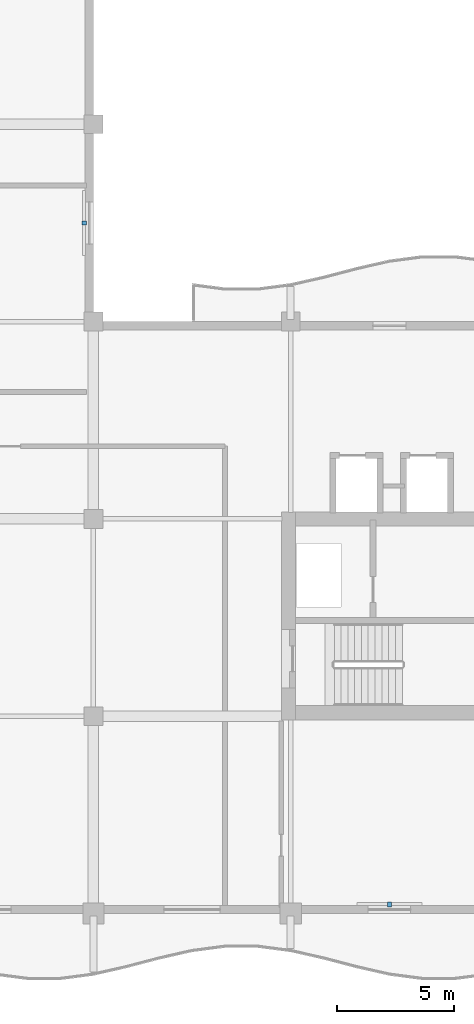
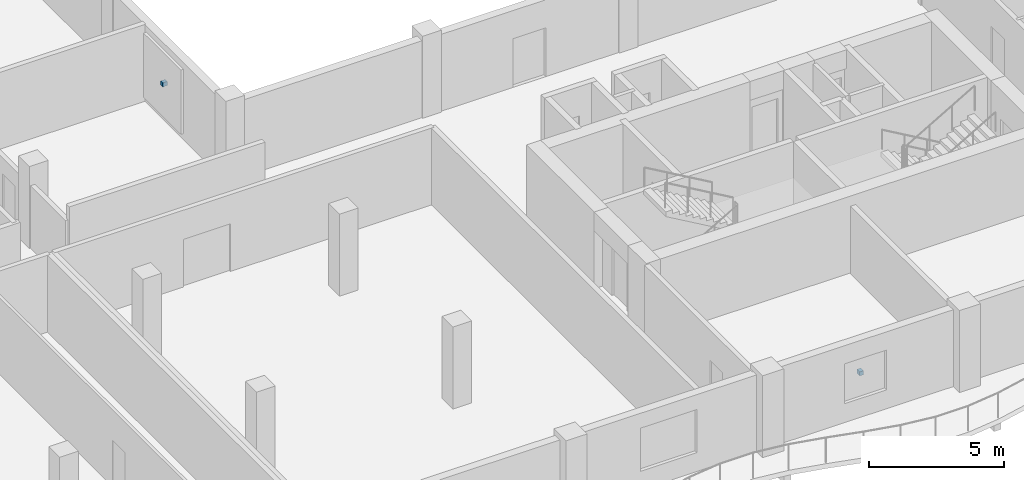
# One storey, part 9 of 12: 2 discrete accessories.
"""IFC4 building model written with IfcOpenShell, lengths in metres."""

import ifcopenshell
import ifcopenshell.guid

model = None  # the IFC model being written
_history = None  # IfcOwnerHistory: only IFC2X3 demands one
_inside = {}  # id of a spatial element -> (the spatial element, [elements in it])
_under = {}  # id of a project, library or spatial element -> (it, [spatial elements below it])
_declared = {}  # id of a project -> (the project, [libraries it declares])
_typed = {}  # id of a type object -> (the type object, [elements of that type])
_made_of = {}  # id of a material, layer set ... -> (it, [elements and type objects made of it])


def new_model(schema):
    """Start an empty IFC model of exactly this schema.

    Asked for "IFC4X3", IfcOpenShell would pick the latest addendum, in which some entities
    have other attributes; the version numbers below select the first issue.
    IFC2X3 requires an IfcOwnerHistory on every rooted entity: one is made here for all.
    """
    global model, _history
    if schema == "IFC4X3":
        model = ifcopenshell.file(schema_version=(4, 3, 0, 0))
    else:
        model = ifcopenshell.file(schema=schema)
    _inside.clear()
    _under.clear()
    _declared.clear()
    _typed.clear()
    _made_of.clear()
    _history = None
    if model.schema == "IFC2X3":
        org = make("IfcOrganization", Name="unknown")
        user = make(
            "IfcPersonAndOrganization",
            ThePerson=make("IfcPerson", FamilyName="unknown"),
            TheOrganization=org,
        )
        app = make(
            "IfcApplication",
            ApplicationDeveloper=org,
            Version="unknown",
            ApplicationFullName="unknown",
            ApplicationIdentifier="unknown",
        )
        _history = make(
            "IfcOwnerHistory",
            OwningUser=user,
            OwningApplication=app,
            ChangeAction="ADDED",
            CreationDate=0,
        )
    return model


def make(cls, **values):
    """One entity of the class cls with the attributes given. An attribute that is None is left unset."""
    return model.create_entity(
        cls, **{name: value for name, value in values.items() if value is not None}
    )


def rooted(cls, **values):
    """An entity with a GlobalId (a new one), such as an element, a storey or a relation."""
    return make(cls, GlobalId=ifcopenshell.guid.new(), OwnerHistory=_history, **values)


def si_unit(unit_type, name, prefix=None):
    """IfcSIUnit, for example si_unit("LENGTHUNIT", "METRE", prefix="MILLI")."""
    return make("IfcSIUnit", UnitType=unit_type, Prefix=prefix, Name=name)


def assignment(units):
    """IfcUnitAssignment: the units of a project."""
    return None if units is None else make("IfcUnitAssignment", Units=units)


def point(xyz):
    """IfcCartesianPoint."""
    return None if xyz is None else make("IfcCartesianPoint", Coordinates=xyz)


def direction(xyz):
    """IfcDirection."""
    return None if xyz is None else make("IfcDirection", DirectionRatios=xyz)


def frame(location, z_axis=None, x_axis=None):
    """IfcAxis2Placement3D, a coordinate frame: its origin and axes. An axis left out is left unset."""
    return make(
        "IfcAxis2Placement3D",
        Location=point(location),
        Axis=direction(z_axis),
        RefDirection=direction(x_axis),
    )


def frame_2d(location, x_axis=None):
    """IfcAxis2Placement2D, a coordinate frame in the plane: its origin and x axis."""
    return make(
        "IfcAxis2Placement2D", Location=point(location), RefDirection=direction(x_axis)
    )


def origin():
    """The frame at (0, 0, 0) with its axes left unset."""
    return frame((0.0, 0.0, 0.0))


def origin_2d():
    """The frame at (0, 0) in the plane with its x axis left unset."""
    return frame_2d((0.0, 0.0))


def place(relative_to, where):
    """IfcLocalPlacement: puts the frame where relative to a parent placement (None: the world)."""
    return make(
        "IfcLocalPlacement", PlacementRelTo=relative_to, RelativePlacement=where
    )


def context(
    kind, dimensions, precision=None, world=None, true_north=None, identifier=None
):
    """IfcGeometricRepresentationContext, for example the 3D "Model" context."""
    return make(
        "IfcGeometricRepresentationContext",
        ContextIdentifier=identifier,
        ContextType=kind,
        CoordinateSpaceDimension=dimensions,
        Precision=precision,
        WorldCoordinateSystem=world,
        TrueNorth=true_north,
    )


def subcontext(parent, identifier, kind, view, scale=None):
    """IfcGeometricRepresentationSubContext, for example "Body" below "Model"."""
    return make(
        "IfcGeometricRepresentationSubContext",
        ContextIdentifier=identifier,
        ContextType=kind,
        ParentContext=parent,
        TargetScale=scale,
        TargetView=view,
    )


def project(units=None, contexts=None):
    """IfcProject with its units and contexts."""
    return rooted(
        "IfcProject",
        Name="project",
        RepresentationContexts=contexts,
        UnitsInContext=assignment(units),
    )


def spatial(cls, under=None, at=None, **own):
    """A site, building, storey or space (cls), placed at a placement, below another one or the project."""
    s = rooted(cls, ObjectPlacement=at, **own)
    if under is not None:
        _under.setdefault(under.id(), (under, []))[1].append(s)
    return s


def profile(cls, at=None, kind="AREA", **sizes):
    """A parametric profile (cls). Its sizes go by their IFC names, for example OverallWidth=200.0."""
    return make(cls, ProfileType=kind, Position=at, **sizes)


def rectangle(**sizes):
    """IfcRectangleProfileDef."""
    return profile("IfcRectangleProfileDef", **sizes)


def extrude(swept, where, along, depth):
    """IfcExtrudedAreaSolid: the profile swept, set in the frame where, extruded along a direction by depth."""
    return make(
        "IfcExtrudedAreaSolid",
        SweptArea=swept,
        Position=where,
        ExtrudedDirection=direction(along),
        Depth=depth,
    )


def shape(context_of_items, identifier, shape_type, items):
    """IfcShapeRepresentation: the items that make up one representation, for example the "Body"."""
    return make(
        "IfcShapeRepresentation",
        ContextOfItems=context_of_items,
        RepresentationIdentifier=identifier,
        RepresentationType=shape_type,
        Items=items,
    )


def material(Name=None, Category=None):
    """IfcMaterial."""
    return make("IfcMaterial", Name=Name, Category=Category)


def made_of(thing, what):
    """Note that an element or type object is made of a material, layer set ...; save() writes the relation."""
    if what is not None:
        _made_of.setdefault(what.id(), (what, []))[1].append(thing)
    return thing


def type_object(cls, material=None, **own):
    """A type object (cls), such as IfcWallType, which elements share."""
    return made_of(rooted(cls, **own), material)


def element(
    cls,
    number,
    at=None,
    inside=None,
    cuts=None,
    type_object=None,
    material=None,
    context=None,
    identifier="Body",
    shape_type=None,
    held_by="IfcProductDefinitionShape",
    body=None,
    shapes=None,
    **own,
):
    """One element of the class cls, such as IfcWall. Its Tag is "e" and its number.

    at: its placement. inside: the storey or other place that contains it. cuts: it is an
    opening in that element (IfcRelVoidsElement). A single representation is given by context,
    identifier, shape_type and body (its items); several are given by shapes. held_by: the class
    of the entity that holds the representations. save() writes the other relations.
    """
    e = rooted(cls, Tag="e%d" % number, ObjectPlacement=at, **own)
    if body is not None:
        shapes = [shape(context, identifier, shape_type, body)]
    if shapes is not None:
        e.Representation = make(held_by, Representations=shapes)
    if inside is not None:
        _inside.setdefault(inside.id(), (inside, []))[1].append(e)
    if cuts is not None:
        rooted(
            "IfcRelVoidsElement", RelatingBuildingElement=cuts, RelatedOpeningElement=e
        )
    if type_object is not None:
        _typed.setdefault(type_object.id(), (type_object, []))[1].append(e)
    return made_of(e, material)


def aggregate(whole, parts):
    """IfcRelAggregates: a whole, such as a stair, and the parts it consists of."""
    return rooted("IfcRelAggregates", RelatingObject=whole, RelatedObjects=parts)


def save(model, path):
    """Write the relations noted so far, then the file.

    IfcRelAggregates (storeys below a building ...), IfcRelContainedInSpatialStructure (elements
    in a storey), IfcRelDefinesByType, IfcRelAssociatesMaterial and IfcRelDeclares: one each for
    every whole, place, type object, material and project.
    """
    for whole, parts in _under.values():
        aggregate(whole, parts)
    for where, things in _inside.values():
        rooted(
            "IfcRelContainedInSpatialStructure",
            RelatedElements=things,
            RelatingStructure=where,
        )
    for kind, things in _typed.values():
        rooted("IfcRelDefinesByType", RelatedObjects=things, RelatingType=kind)
    for what, things in _made_of.values():
        rooted("IfcRelAssociatesMaterial", RelatedObjects=things, RelatingMaterial=what)
    for by, libraries in _declared.values():
        rooted("IfcRelDeclares", RelatingContext=by, RelatedDefinitions=libraries)
    model.write(path)


model = new_model("IFC4")

# Units and contexts
model_context = context("Model", 3, precision=1e-05, world=origin(), true_north=direction((0.0, 1.0)))
body_context = subcontext(model_context, "Body", "Model", "MODEL_VIEW")
ifc_project = project(units=[si_unit("LENGTHUNIT", "METRE"), si_unit("AREAUNIT", "SQUARE_METRE"), si_unit("VOLUMEUNIT", "CUBIC_METRE"), si_unit("PLANEANGLEUNIT", "RADIAN"), si_unit("MASSUNIT", "GRAM", prefix="KILO")], contexts=[model_context])

# Site, building, storey
site_placement = place(None, origin())
site = spatial("IfcSite", under=ifc_project, at=site_placement, CompositionType="ELEMENT")
building_placement = place(site_placement, origin())
building = spatial("IfcBuilding", under=site, at=building_placement, Name="Koriwani Terraces Tower", CompositionType="ELEMENT")
storey_placement = place(building_placement, frame((0.0, 0.0, 271.199951171875)))
storey = spatial("IfcBuildingStorey", under=building, at=storey_placement, Name="L67", CompositionType="ELEMENT", Elevation=271.199951171875)

# Discrete accessories
ifc_material = material(Name="Steel ASTM A572 Grade 50", Category="steel")
discrete_accessory_type = type_object("IfcDiscreteAccessoryType", Name="BAGUETTE_STANDOFF_BRACKET", PredefinedType="BRACKET", material=ifc_material)
for number, where, z_axis, x_axis, name in (
    (1, (33.2099609375, 37.800048828125, 1.64501953125), (0.0, 0.0, 1.0), (0.0, -1.0, 0.0), "L67 Terracotta Baguette Bracket (NW_IN-2)"),
    (2, (46.199951171875, 8.7900390625, 1.64501953125), (0.0, 0.0, 1.0), (-1.0, 0.0, 0.0), "L67 Terracotta Baguette Bracket (S-12)"),
):
    element("IfcDiscreteAccessory", number, at=place(storey_placement, frame(where, z_axis=z_axis, x_axis=x_axis)), inside=storey, type_object=discrete_accessory_type, Name=name, PredefinedType="BRACKET", context=body_context, shape_type="SweptSolid", body=[
        extrude(rectangle(XDim=0.159912109375, YDim=0.199951171875, at=origin_2d()), origin(), (0.0, 0.0, 1.0), 0.179931640625),
    ])

save(model, "model.ifc")
